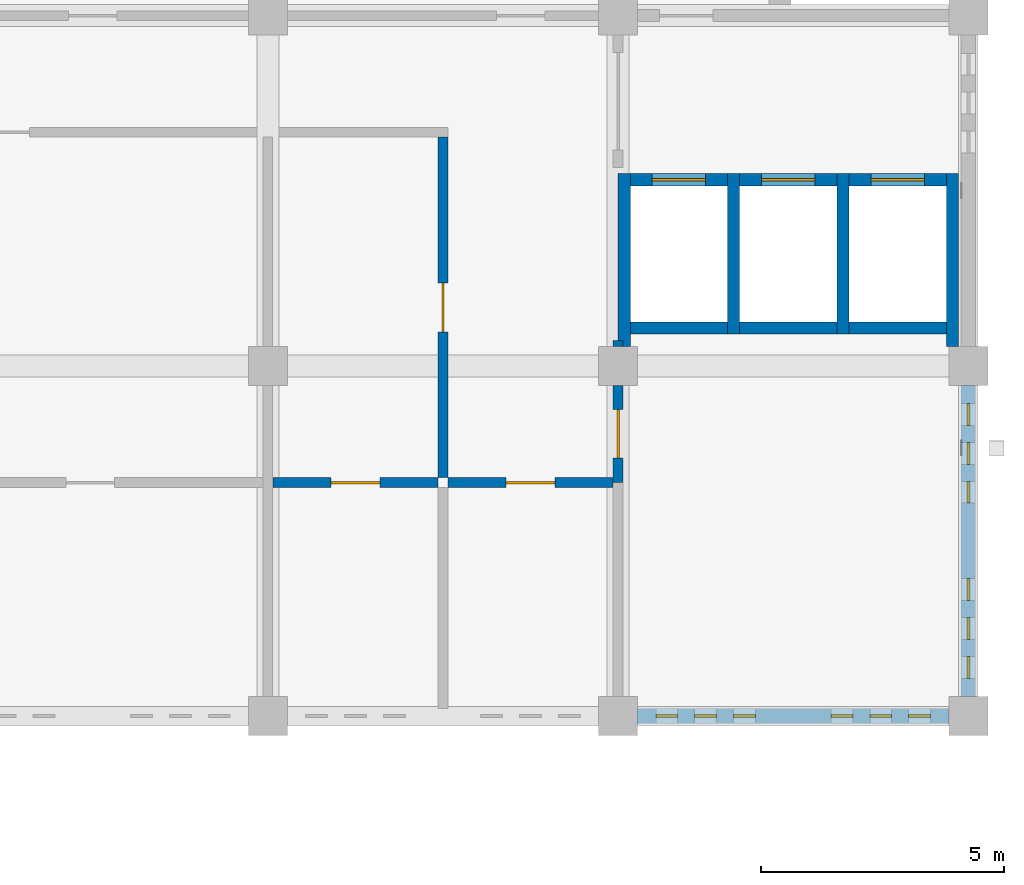
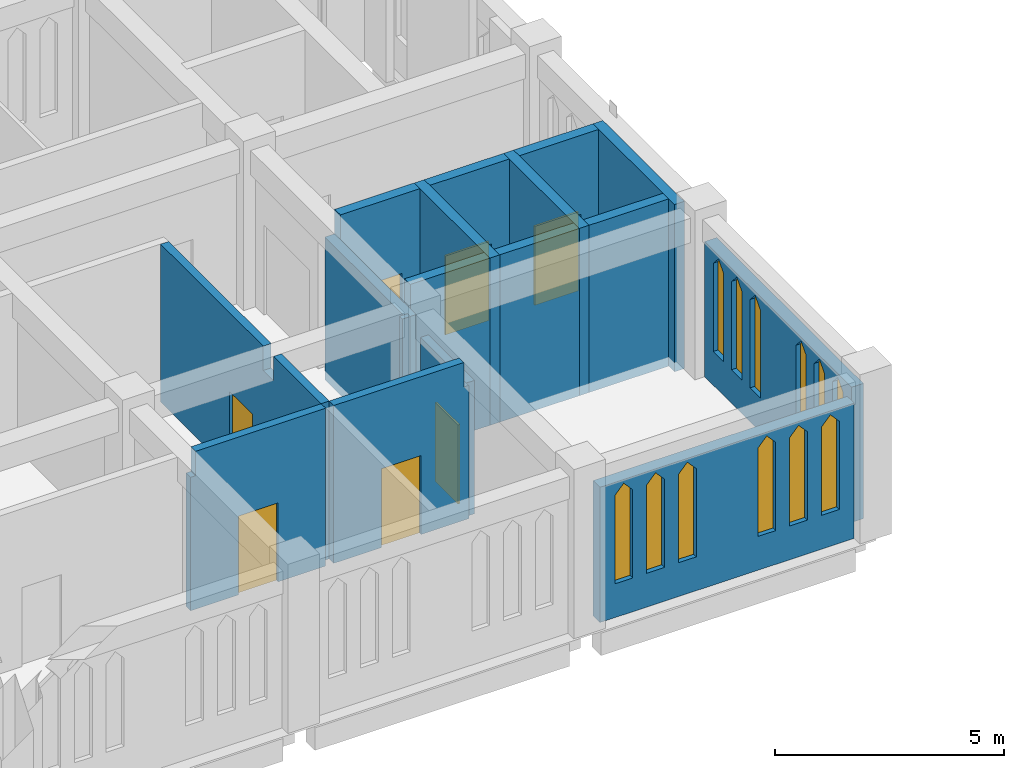
# One storey, part 7 of 13: 17 walls, 12 windows, 7 doors, 19 openings.
"""IFC4 building model written with IfcOpenShell, lengths in metres."""

from ifc_helpers import new_model, si_unit, direction, frame, frame_2d, origin, place, context, subcontext, project, spatial, polyline, rectangle, outline, extrude, material, layer, layer_set, type_object, element, fill, save


model = new_model("IFC4")

# Units and contexts
model_context = context("Model", 3, precision=1e-05, world=origin(), true_north=direction((0.0, 1.0)))
body_context = subcontext(model_context, "Body", "Model", "MODEL_VIEW")
ifc_project = project(units=[si_unit("LENGTHUNIT", "METRE"), si_unit("AREAUNIT", "SQUARE_METRE"), si_unit("VOLUMEUNIT", "CUBIC_METRE"), si_unit("PLANEANGLEUNIT", "RADIAN"), si_unit("MASSUNIT", "GRAM", prefix="KILO")], contexts=[model_context])

# Site, building, storey
site_placement = place(None, origin())
site = spatial("IfcSite", under=ifc_project, at=site_placement, CompositionType="ELEMENT")
building_placement = place(site_placement, origin())
building = spatial("IfcBuilding", under=site, at=building_placement, Name="Silangan Lancet Faculty of Sciences", CompositionType="ELEMENT")
storey_placement = place(building_placement, frame((0.0, 0.0, 49.800048828125)))
storey = spatial("IfcBuildingStorey", under=building, at=storey_placement, Name="L10", CompositionType="ELEMENT", Elevation=49.800048828125)

# Wall, openings, windows
ifc_material_1 = material(Name="Concrete C40/50", Category="concrete")
ifc_layer_1 = layer(ifc_material_1, 0.300048828125)
ifc_layer_set_1 = layer_set([ifc_layer_1], Name="Concrete C40/50")
wall_type_1 = type_object("IfcWallType", Name="EW7 Rendered attic wall", PredefinedType="STANDARD", material=ifc_layer_set_1)
wall_1_placement = place(storey_placement, frame((28.800048828125, 36.39990234375, 0.0), z_axis=(0.0, 0.0, 1.0), x_axis=(0.0, 1.0, 0.0)))
wall_1 = element("IfcWall", 1, at=wall_1_placement, inside=storey, type_object=wall_type_1, Name="EW-L10-E-NT-00", PredefinedType="STANDARD", context=body_context, shape_type="SweptSolid", body=[
    extrude(rectangle(XDim=6.400146484375, YDim=0.300048828125, at=frame_2d((3.2001953125, 0.0))), origin(), (0.0, 0.0, 1.0), 3.599853515625),
])
opening_1_placement = place(wall_1_placement, frame((0.375, 0.0, 0.89990234375)))
opening_1 = element("IfcOpeningElement", 2, at=opening_1_placement, cuts=wall_1, Name="Opening W24", PredefinedType="OPENING", context=body_context, shape_type="SweptSolid", body=[
    extrude(outline(polyline([(0.0, 0.0), (0.449951171875, 0.0), (0.449951171875, 2.35009765625), (0.22509765625, 2.60009765625), (0.0, 2.35009765625), (0.0, 0.0)])), frame((0.0, 0.159912109375, 0.0), z_axis=(0.0, -1.0, 0.0), x_axis=(1.0, 0.0, 0.0)), (0.0, 0.0, 1.0), 0.320068359375),
])
opening_2_placement = place(wall_1_placement, frame((1.175048828125, 0.0, 0.89990234375)))
opening_2 = element("IfcOpeningElement", 3, at=opening_2_placement, cuts=wall_1, Name="Opening W24", PredefinedType="OPENING", context=body_context, shape_type="SweptSolid", body=[
    extrude(outline(polyline([(0.0, 0.0), (0.449951171875, 0.0), (0.449951171875, 2.35009765625), (0.22509765625, 2.60009765625), (0.0, 2.35009765625), (0.0, 0.0)])), frame((0.0, 0.159912109375, 0.0), z_axis=(0.0, -1.0, 0.0), x_axis=(1.0, 0.0, 0.0)), (0.0, 0.0, 1.0), 0.320068359375),
])
opening_3_placement = place(wall_1_placement, frame((1.97509765625, 0.0, 0.89990234375)))
opening_3 = element("IfcOpeningElement", 4, at=opening_3_placement, cuts=wall_1, Name="Opening W24", PredefinedType="OPENING", context=body_context, shape_type="SweptSolid", body=[
    extrude(outline(polyline([(0.0, 0.0), (0.449951171875, 0.0), (0.449951171875, 2.35009765625), (0.22509765625, 2.60009765625), (0.0, 2.35009765625), (0.0, 0.0)])), frame((0.0, 0.159912109375, 0.0), z_axis=(0.0, -1.0, 0.0), x_axis=(1.0, 0.0, 0.0)), (0.0, 0.0, 1.0), 0.320068359375),
])
opening_4_placement = place(wall_1_placement, frame((3.97509765625, 0.0, 0.89990234375)))
opening_4 = element("IfcOpeningElement", 5, at=opening_4_placement, cuts=wall_1, Name="Opening W24", PredefinedType="OPENING", context=body_context, shape_type="SweptSolid", body=[
    extrude(outline(polyline([(0.0, 0.0), (0.449951171875, 0.0), (0.449951171875, 2.35009765625), (0.22509765625, 2.60009765625), (0.0, 2.35009765625), (0.0, 0.0)])), frame((0.0, 0.159912109375, 0.0), z_axis=(0.0, -1.0, 0.0), x_axis=(1.0, 0.0, 0.0)), (0.0, 0.0, 1.0), 0.320068359375),
])
opening_5_placement = place(wall_1_placement, frame((4.77490234375, 0.0, 0.89990234375)))
opening_5 = element("IfcOpeningElement", 6, at=opening_5_placement, cuts=wall_1, Name="Opening W24", PredefinedType="OPENING", context=body_context, shape_type="SweptSolid", body=[
    extrude(outline(polyline([(0.0, 0.0), (0.449951171875, 0.0), (0.449951171875, 2.35009765625), (0.22509765625, 2.60009765625), (0.0, 2.35009765625), (0.0, 0.0)])), frame((0.0, 0.159912109375, 0.0), z_axis=(0.0, -1.0, 0.0), x_axis=(1.0, 0.0, 0.0)), (0.0, 0.0, 1.0), 0.320068359375),
])
opening_6_placement = place(wall_1_placement, frame((5.574951171875, 0.0, 0.89990234375)))
opening_6 = element("IfcOpeningElement", 7, at=opening_6_placement, cuts=wall_1, Name="Opening W24", PredefinedType="OPENING", context=body_context, shape_type="SweptSolid", body=[
    extrude(outline(polyline([(0.0, 0.0), (0.449951171875, 0.0), (0.449951171875, 2.35009765625), (0.22509765625, 2.60009765625), (0.0, 2.35009765625), (0.0, 0.0)])), frame((0.0, 0.159912109375, 0.0), z_axis=(0.0, -1.0, 0.0), x_axis=(1.0, 0.0, 0.0)), (0.0, 0.0, 1.0), 0.320068359375),
])
ifc_material_2 = material(Name="Aluminium frame, laminated double glazing", Category="aluminium")
window_type = type_object("IfcWindowType", Name="W24 Lancet window 450 x 2600", PartitioningType="SINGLE_PANEL", PredefinedType="WINDOW", material=ifc_material_2)
window_1_placement = place(opening_1_placement, origin())
window_1 = element("IfcWindow", 8, at=window_1_placement, inside=storey, type_object=window_type, Name="WIN-L10-E-NT-00a1", OverallHeight=2.60009765625, OverallWidth=0.449951171875, PartitioningType="SINGLE_PANEL", PredefinedType="WINDOW", context=body_context, shape_type="SweptSolid", body=[
    extrude(outline(polyline([(0.0, 0.0), (0.449951171875, 0.0), (0.449951171875, 2.35009765625), (0.22509765625, 2.60009765625), (0.0, 2.35009765625), (0.0, 0.0)])), frame((0.0, 0.030029296875, 0.0), z_axis=(0.0, -1.0, 0.0), x_axis=(1.0, 0.0, 0.0)), (0.0, 0.0, 1.0), 0.06005859375),
])
fill(opening_1, window_1)
window_2_placement = place(opening_2_placement, origin())
window_2 = element("IfcWindow", 9, at=window_2_placement, inside=storey, type_object=window_type, Name="WIN-L10-E-NT-00a2", OverallHeight=2.60009765625, OverallWidth=0.449951171875, PartitioningType="SINGLE_PANEL", PredefinedType="WINDOW", context=body_context, shape_type="SweptSolid", body=[
    extrude(outline(polyline([(0.0, 0.0), (0.449951171875, 0.0), (0.449951171875, 2.35009765625), (0.22509765625, 2.60009765625), (0.0, 2.35009765625), (0.0, 0.0)])), frame((0.0, 0.030029296875, 0.0), z_axis=(0.0, -1.0, 0.0), x_axis=(1.0, 0.0, 0.0)), (0.0, 0.0, 1.0), 0.06005859375),
])
fill(opening_2, window_2)
window_3_placement = place(opening_3_placement, origin())
window_3 = element("IfcWindow", 10, at=window_3_placement, inside=storey, type_object=window_type, Name="WIN-L10-E-NT-00a3", OverallHeight=2.60009765625, OverallWidth=0.449951171875, PartitioningType="SINGLE_PANEL", PredefinedType="WINDOW", context=body_context, shape_type="SweptSolid", body=[
    extrude(outline(polyline([(0.0, 0.0), (0.449951171875, 0.0), (0.449951171875, 2.35009765625), (0.22509765625, 2.60009765625), (0.0, 2.35009765625), (0.0, 0.0)])), frame((0.0, 0.030029296875, 0.0), z_axis=(0.0, -1.0, 0.0), x_axis=(1.0, 0.0, 0.0)), (0.0, 0.0, 1.0), 0.06005859375),
])
fill(opening_3, window_3)
window_4_placement = place(opening_4_placement, origin())
window_4 = element("IfcWindow", 11, at=window_4_placement, inside=storey, type_object=window_type, Name="WIN-L10-E-NT-00b1", OverallHeight=2.60009765625, OverallWidth=0.449951171875, PartitioningType="SINGLE_PANEL", PredefinedType="WINDOW", context=body_context, shape_type="SweptSolid", body=[
    extrude(outline(polyline([(0.0, 0.0), (0.449951171875, 0.0), (0.449951171875, 2.35009765625), (0.22509765625, 2.60009765625), (0.0, 2.35009765625), (0.0, 0.0)])), frame((0.0, 0.030029296875, 0.0), z_axis=(0.0, -1.0, 0.0), x_axis=(1.0, 0.0, 0.0)), (0.0, 0.0, 1.0), 0.06005859375),
])
fill(opening_4, window_4)
window_5_placement = place(opening_5_placement, origin())
window_5 = element("IfcWindow", 12, at=window_5_placement, inside=storey, type_object=window_type, Name="WIN-L10-E-NT-00b2", OverallHeight=2.60009765625, OverallWidth=0.449951171875, PartitioningType="SINGLE_PANEL", PredefinedType="WINDOW", context=body_context, shape_type="SweptSolid", body=[
    extrude(outline(polyline([(0.0, 0.0), (0.449951171875, 0.0), (0.449951171875, 2.35009765625), (0.22509765625, 2.60009765625), (0.0, 2.35009765625), (0.0, 0.0)])), frame((0.0, 0.030029296875, 0.0), z_axis=(0.0, -1.0, 0.0), x_axis=(1.0, 0.0, 0.0)), (0.0, 0.0, 1.0), 0.06005859375),
])
fill(opening_5, window_5)
window_6_placement = place(opening_6_placement, origin())
window_6 = element("IfcWindow", 13, at=window_6_placement, inside=storey, type_object=window_type, Name="WIN-L10-E-NT-00b3", OverallHeight=2.60009765625, OverallWidth=0.449951171875, PartitioningType="SINGLE_PANEL", PredefinedType="WINDOW", context=body_context, shape_type="SweptSolid", body=[
    extrude(outline(polyline([(0.0, 0.0), (0.449951171875, 0.0), (0.449951171875, 2.35009765625), (0.22509765625, 2.60009765625), (0.0, 2.35009765625), (0.0, 0.0)])), frame((0.0, 0.030029296875, 0.0), z_axis=(0.0, -1.0, 0.0), x_axis=(1.0, 0.0, 0.0)), (0.0, 0.0, 1.0), 0.06005859375),
])
fill(opening_6, window_6)

wall_2_placement = place(storey_placement, frame((22.0, 36.0, 0.0), z_axis=(0.0, 0.0, 1.0), x_axis=(1.0, 0.0, 0.0)))
wall_2 = element("IfcWall", 14, at=wall_2_placement, inside=storey, type_object=wall_type_1, Name="EW-L10-S-NT-03", PredefinedType="STANDARD", context=body_context, shape_type="SweptSolid", body=[
    extrude(rectangle(XDim=6.39990234375, YDim=0.300048828125, at=frame_2d((3.199951171875, 0.0))), origin(), (0.0, 0.0, 1.0), 3.599853515625),
])
opening_7_placement = place(wall_2_placement, frame((0.375, 0.0, 0.89990234375)))
opening_7 = element("IfcOpeningElement", 15, at=opening_7_placement, cuts=wall_2, Name="Opening W24", PredefinedType="OPENING", context=body_context, shape_type="SweptSolid", body=[
    extrude(outline(polyline([(0.0, 0.0), (0.449951171875, 0.0), (0.449951171875, 2.35009765625), (0.22509765625, 2.60009765625), (0.0, 2.35009765625), (0.0, 0.0)])), frame((0.0, 0.159912109375, 0.0), z_axis=(0.0, -1.0, 0.0), x_axis=(1.0, 0.0, 0.0)), (0.0, 0.0, 1.0), 0.320068359375),
])
opening_8_placement = place(wall_2_placement, frame((1.175048828125, 0.0, 0.89990234375)))
opening_8 = element("IfcOpeningElement", 16, at=opening_8_placement, cuts=wall_2, Name="Opening W24", PredefinedType="OPENING", context=body_context, shape_type="SweptSolid", body=[
    extrude(outline(polyline([(0.0, 0.0), (0.449951171875, 0.0), (0.449951171875, 2.35009765625), (0.22509765625, 2.60009765625), (0.0, 2.35009765625), (0.0, 0.0)])), frame((0.0, 0.159912109375, 0.0), z_axis=(0.0, -1.0, 0.0), x_axis=(1.0, 0.0, 0.0)), (0.0, 0.0, 1.0), 0.320068359375),
])
opening_9_placement = place(wall_2_placement, frame((1.97509765625, 0.0, 0.89990234375)))
opening_9 = element("IfcOpeningElement", 17, at=opening_9_placement, cuts=wall_2, Name="Opening W24", PredefinedType="OPENING", context=body_context, shape_type="SweptSolid", body=[
    extrude(outline(polyline([(0.0, 0.0), (0.449951171875, 0.0), (0.449951171875, 2.35009765625), (0.22509765625, 2.60009765625), (0.0, 2.35009765625), (0.0, 0.0)])), frame((0.0, 0.159912109375, 0.0), z_axis=(0.0, -1.0, 0.0), x_axis=(1.0, 0.0, 0.0)), (0.0, 0.0, 1.0), 0.320068359375),
])
opening_10_placement = place(wall_2_placement, frame((3.97509765625, 0.0, 0.89990234375)))
opening_10 = element("IfcOpeningElement", 18, at=opening_10_placement, cuts=wall_2, Name="Opening W24", PredefinedType="OPENING", context=body_context, shape_type="SweptSolid", body=[
    extrude(outline(polyline([(0.0, 0.0), (0.449951171875, 0.0), (0.449951171875, 2.35009765625), (0.22509765625, 2.60009765625), (0.0, 2.35009765625), (0.0, 0.0)])), frame((0.0, 0.159912109375, 0.0), z_axis=(0.0, -1.0, 0.0), x_axis=(1.0, 0.0, 0.0)), (0.0, 0.0, 1.0), 0.320068359375),
])
opening_11_placement = place(wall_2_placement, frame((4.77490234375, 0.0, 0.89990234375)))
opening_11 = element("IfcOpeningElement", 19, at=opening_11_placement, cuts=wall_2, Name="Opening W24", PredefinedType="OPENING", context=body_context, shape_type="SweptSolid", body=[
    extrude(outline(polyline([(0.0, 0.0), (0.449951171875, 0.0), (0.449951171875, 2.35009765625), (0.22509765625, 2.60009765625), (0.0, 2.35009765625), (0.0, 0.0)])), frame((0.0, 0.159912109375, 0.0), z_axis=(0.0, -1.0, 0.0), x_axis=(1.0, 0.0, 0.0)), (0.0, 0.0, 1.0), 0.320068359375),
])
opening_12_placement = place(wall_2_placement, frame((5.574951171875, 0.0, 0.89990234375)))
opening_12 = element("IfcOpeningElement", 20, at=opening_12_placement, cuts=wall_2, Name="Opening W24", PredefinedType="OPENING", context=body_context, shape_type="SweptSolid", body=[
    extrude(outline(polyline([(0.0, 0.0), (0.449951171875, 0.0), (0.449951171875, 2.35009765625), (0.22509765625, 2.60009765625), (0.0, 2.35009765625), (0.0, 0.0)])), frame((0.0, 0.159912109375, 0.0), z_axis=(0.0, -1.0, 0.0), x_axis=(1.0, 0.0, 0.0)), (0.0, 0.0, 1.0), 0.320068359375),
])
window_7_placement = place(opening_7_placement, origin())
window_7 = element("IfcWindow", 21, at=window_7_placement, inside=storey, type_object=window_type, Name="WIN-L10-S-NT-03a1", OverallHeight=2.60009765625, OverallWidth=0.449951171875, PartitioningType="SINGLE_PANEL", PredefinedType="WINDOW", context=body_context, shape_type="SweptSolid", body=[
    extrude(outline(polyline([(0.0, 0.0), (0.449951171875, 0.0), (0.449951171875, 2.35009765625), (0.22509765625, 2.60009765625), (0.0, 2.35009765625), (0.0, 0.0)])), frame((0.0, 0.030029296875, 0.0), z_axis=(0.0, -1.0, 0.0), x_axis=(1.0, 0.0, 0.0)), (0.0, 0.0, 1.0), 0.06005859375),
])
fill(opening_7, window_7)
window_8_placement = place(opening_8_placement, origin())
window_8 = element("IfcWindow", 22, at=window_8_placement, inside=storey, type_object=window_type, Name="WIN-L10-S-NT-03a2", OverallHeight=2.60009765625, OverallWidth=0.449951171875, PartitioningType="SINGLE_PANEL", PredefinedType="WINDOW", context=body_context, shape_type="SweptSolid", body=[
    extrude(outline(polyline([(0.0, 0.0), (0.449951171875, 0.0), (0.449951171875, 2.35009765625), (0.22509765625, 2.60009765625), (0.0, 2.35009765625), (0.0, 0.0)])), frame((0.0, 0.030029296875, 0.0), z_axis=(0.0, -1.0, 0.0), x_axis=(1.0, 0.0, 0.0)), (0.0, 0.0, 1.0), 0.06005859375),
])
fill(opening_8, window_8)
window_9_placement = place(opening_9_placement, origin())
window_9 = element("IfcWindow", 23, at=window_9_placement, inside=storey, type_object=window_type, Name="WIN-L10-S-NT-03a3", OverallHeight=2.60009765625, OverallWidth=0.449951171875, PartitioningType="SINGLE_PANEL", PredefinedType="WINDOW", context=body_context, shape_type="SweptSolid", body=[
    extrude(outline(polyline([(0.0, 0.0), (0.449951171875, 0.0), (0.449951171875, 2.35009765625), (0.22509765625, 2.60009765625), (0.0, 2.35009765625), (0.0, 0.0)])), frame((0.0, 0.030029296875, 0.0), z_axis=(0.0, -1.0, 0.0), x_axis=(1.0, 0.0, 0.0)), (0.0, 0.0, 1.0), 0.06005859375),
])
fill(opening_9, window_9)
window_10_placement = place(opening_10_placement, origin())
window_10 = element("IfcWindow", 24, at=window_10_placement, inside=storey, type_object=window_type, Name="WIN-L10-S-NT-03b1", OverallHeight=2.60009765625, OverallWidth=0.449951171875, PartitioningType="SINGLE_PANEL", PredefinedType="WINDOW", context=body_context, shape_type="SweptSolid", body=[
    extrude(outline(polyline([(0.0, 0.0), (0.449951171875, 0.0), (0.449951171875, 2.35009765625), (0.22509765625, 2.60009765625), (0.0, 2.35009765625), (0.0, 0.0)])), frame((0.0, 0.030029296875, 0.0), z_axis=(0.0, -1.0, 0.0), x_axis=(1.0, 0.0, 0.0)), (0.0, 0.0, 1.0), 0.06005859375),
])
fill(opening_10, window_10)
window_11_placement = place(opening_11_placement, origin())
window_11 = element("IfcWindow", 25, at=window_11_placement, inside=storey, type_object=window_type, Name="WIN-L10-S-NT-03b2", OverallHeight=2.60009765625, OverallWidth=0.449951171875, PartitioningType="SINGLE_PANEL", PredefinedType="WINDOW", context=body_context, shape_type="SweptSolid", body=[
    extrude(outline(polyline([(0.0, 0.0), (0.449951171875, 0.0), (0.449951171875, 2.35009765625), (0.22509765625, 2.60009765625), (0.0, 2.35009765625), (0.0, 0.0)])), frame((0.0, 0.030029296875, 0.0), z_axis=(0.0, -1.0, 0.0), x_axis=(1.0, 0.0, 0.0)), (0.0, 0.0, 1.0), 0.06005859375),
])
fill(opening_11, window_11)
window_12_placement = place(opening_12_placement, origin())
window_12 = element("IfcWindow", 26, at=window_12_placement, inside=storey, type_object=window_type, Name="WIN-L10-S-NT-03b3", OverallHeight=2.60009765625, OverallWidth=0.449951171875, PartitioningType="SINGLE_PANEL", PredefinedType="WINDOW", context=body_context, shape_type="SweptSolid", body=[
    extrude(outline(polyline([(0.0, 0.0), (0.449951171875, 0.0), (0.449951171875, 2.35009765625), (0.22509765625, 2.60009765625), (0.0, 2.35009765625), (0.0, 0.0)])), frame((0.0, 0.030029296875, 0.0), z_axis=(0.0, -1.0, 0.0), x_axis=(1.0, 0.0, 0.0)), (0.0, 0.0, 1.0), 0.06005859375),
])
fill(opening_12, window_12)

# Wall, opening, door
ifc_material_3 = material(Name="Hollow block masonry fm 7 MPa", Category="masonry")
ifc_layer_2 = layer(ifc_material_3, 0.199951171875)
ifc_layer_set_2 = layer_set([ifc_layer_2], Name="Hollow block masonry fm 7 MPa")
wall_type_2 = type_object("IfcWallType", Name="Interior wall PW1 Corridor wall CHB 200", PredefinedType="PARTITIONING", material=ifc_layer_set_2)
wall_3_placement = place(storey_placement, frame((18.10009765625, 40.800048828125, 0.0), z_axis=(0.0, 0.0, 1.0), x_axis=(1.0, 0.0, 0.0)))
wall_3 = element("IfcWall", 27, at=wall_3_placement, inside=storey, type_object=wall_type_2, Name="Corridor wall CHB 200", PredefinedType="PARTITIONING", context=body_context, shape_type="SweptSolid", body=[
    extrude(outline(polyline([(0.0, 0.0), (3.39990234375, 0.0), (3.39990234375, 3.550048828125), (3.27490234375, 3.550048828125), (3.27490234375, 4.199951171875), (0.0, 4.199951171875), (0.0, 0.0)])), frame((0.0, 0.10009765625, 0.0), z_axis=(0.0, -1.0, 0.0), x_axis=(1.0, 0.0, 0.0)), (0.0, 0.0, 1.0), 0.199951171875),
])
opening_13_placement = place(wall_3_placement, frame((1.199951171875, 0.0, 0.0)))
opening_13 = element("IfcOpeningElement", 28, at=opening_13_placement, cuts=wall_3, Name="Opening L10-024", PredefinedType="OPENING", context=body_context, shape_type="SweptSolid", body=[
    extrude(rectangle(XDim=1.0, YDim=2.10009765625, at=frame_2d((0.5, 1.050048828125))), frame((0.0, 0.10986328125, 0.0), z_axis=(0.0, -1.0, 0.0), x_axis=(1.0, 0.0, 0.0)), (0.0, 0.0, 1.0), 0.219970703125),
])
ifc_material_4 = material(Name="Steel fire door set", Category="steel")
door_type_1 = type_object("IfcDoorType", Name="Door D1 Single leaf fire door 1000 x 2100", OperationType="SINGLE_SWING_LEFT", PredefinedType="DOOR", material=ifc_material_4)
door_1_placement = place(opening_13_placement, frame((1.0, 0.0, 0.0), z_axis=(0.0, 0.0, 1.0), x_axis=(-1.0, 0.0, 0.0)))
door_1 = element("IfcDoor", 29, at=door_1_placement, inside=storey, type_object=door_type_1, Name="Single leaf fire door 1000 x 2100", OperationType="SINGLE_SWING_LEFT", OverallHeight=2.10009765625, OverallWidth=1.0, PredefinedType="DOOR", context=body_context, shape_type="SweptSolid", body=[
    extrude(rectangle(XDim=1.0, YDim=2.10009765625, at=frame_2d((0.5, 1.050048828125))), frame((0.0, 0.025146484375, 0.0), z_axis=(0.0, -1.0, 0.0), x_axis=(1.0, 0.0, 0.0)), (0.0, 0.0, 1.0), 0.050048828125),
])
fill(opening_13, door_1)

wall_4_placement = place(storey_placement, frame((18.0, 40.89990234375, 0.0), z_axis=(0.0, 0.0, 1.0), x_axis=(0.0, 1.0, 0.0)))
wall_4 = element("IfcWall", 30, at=wall_4_placement, inside=storey, type_object=wall_type_2, Name="Corridor wall CHB 200", PredefinedType="PARTITIONING", context=body_context, shape_type="SweptSolid", body=[
    extrude(outline(polyline([(0.0, 0.0), (7.0, 0.0), (7.0, 4.199951171875), (2.525146484375, 4.199951171875), (2.525146484375, 3.550048828125), (2.0751953125, 3.550048828125), (2.0751953125, 4.199951171875), (0.0, 4.199951171875), (0.0, 0.0)])), frame((0.0, 0.10009765625, 0.0), z_axis=(0.0, -1.0, 0.0), x_axis=(1.0, 0.0, 0.0)), (0.0, 0.0, 1.0), 0.199951171875),
])
opening_14_placement = place(wall_4_placement, frame((3.0, 0.0, 0.0)))
opening_14 = element("IfcOpeningElement", 31, at=opening_14_placement, cuts=wall_4, Name="Opening L10-031", PredefinedType="OPENING", context=body_context, shape_type="SweptSolid", body=[
    extrude(rectangle(XDim=1.0, YDim=2.10009765625, at=frame_2d((0.5, 1.050048828125))), frame((0.0, 0.10986328125, 0.0), z_axis=(0.0, -1.0, 0.0), x_axis=(1.0, 0.0, 0.0)), (0.0, 0.0, 1.0), 0.219970703125),
])
door_2_placement = place(opening_14_placement, origin())
door_2 = element("IfcDoor", 32, at=door_2_placement, inside=storey, type_object=door_type_1, Name="Single leaf fire door 1000 x 2100", OperationType="SINGLE_SWING_LEFT", OverallHeight=2.10009765625, OverallWidth=1.0, PredefinedType="DOOR", context=body_context, shape_type="SweptSolid", body=[
    extrude(rectangle(XDim=1.0, YDim=2.10009765625, at=frame_2d((0.5, 1.050048828125))), frame((0.0, 0.02490234375, 0.0), z_axis=(0.0, -1.0, 0.0), x_axis=(1.0, 0.0, 0.0)), (0.0, 0.0, 1.0), 0.050048828125),
])
fill(opening_14, door_2)

wall_5_placement = place(storey_placement, frame((21.60009765625, 40.800048828125, 0.0), z_axis=(0.0, 0.0, 1.0), x_axis=(0.0, 1.0, 0.0)))
wall_5 = element("IfcWall", 33, at=wall_5_placement, inside=storey, type_object=wall_type_2, Name="Corridor wall CHB 200", PredefinedType="PARTITIONING", context=body_context, shape_type="SweptSolid", body=[
    extrude(rectangle(XDim=2.0, YDim=0.199951171875, at=frame_2d((1.0, 0.0))), origin(), (0.0, 0.0, 1.0), 3.550048828125),
])
opening_15_placement = place(wall_5_placement, frame((0.5, 0.0, 0.0)))
opening_15 = element("IfcOpeningElement", 34, at=opening_15_placement, cuts=wall_5, Name="Opening L10-025", PredefinedType="OPENING", context=body_context, shape_type="SweptSolid", body=[
    extrude(rectangle(XDim=1.0, YDim=2.10009765625, at=frame_2d((0.5, 1.050048828125))), frame((0.0, 0.10986328125, 0.0), z_axis=(0.0, -1.0, 0.0), x_axis=(1.0, 0.0, 0.0)), (0.0, 0.0, 1.0), 0.219970703125),
])
door_3_placement = place(opening_15_placement, frame((1.0, 0.0, 0.0), z_axis=(0.0, 0.0, 1.0), x_axis=(-1.0, 0.0, 0.0)))
door_3 = element("IfcDoor", 35, at=door_3_placement, inside=storey, type_object=door_type_1, Name="Single leaf fire door 1000 x 2100", OperationType="SINGLE_SWING_RIGHT", OverallHeight=2.10009765625, OverallWidth=1.0, PredefinedType="DOOR", context=body_context, shape_type="SweptSolid", body=[
    extrude(rectangle(XDim=1.0, YDim=2.10009765625, at=frame_2d((0.5, 1.050048828125))), frame((0.0, 0.025146484375, 0.0), z_axis=(0.0, -1.0, 0.0), x_axis=(1.0, 0.0, 0.0)), (0.0, 0.0, 1.0), 0.050048828125),
])
fill(opening_15, door_3)

# Wall
wall_6_placement = place(storey_placement, frame((21.60009765625, 43.60009765625, 0.0), z_axis=(0.0, 0.0, 1.0), x_axis=(0.0, 1.0, 0.0)))
element("IfcWall", 36, at=wall_6_placement, inside=storey, type_object=wall_type_2, Name="Corridor wall CHB 200", PredefinedType="PARTITIONING", context=body_context, shape_type="SweptSolid", body=[
    extrude(rectangle(XDim=0.125, YDim=0.199951171875, at=frame_2d((0.0625, 0.0))), origin(), (0.0, 0.0, 1.0), 3.550048828125),
])

# Wall, opening, door
ifc_material_5 = material(Name="Hollow block masonry fm 7 MPa", Category="masonry")
ifc_layer_3 = layer(ifc_material_5, 0.199951171875)
ifc_layer_set_3 = layer_set([ifc_layer_3], Name="Hollow block masonry fm 7 MPa")
wall_type_3 = type_object("IfcWallType", Name="Interior wall PW4 Laboratory separation CHB 200", PredefinedType="PARTITIONING", material=ifc_layer_set_3)
wall_7_placement = place(storey_placement, frame((14.5, 40.800048828125, 0.0), z_axis=(0.0, 0.0, 1.0), x_axis=(1.0, 0.0, 0.0)))
wall_7 = element("IfcWall", 37, at=wall_7_placement, inside=storey, type_object=wall_type_3, Name="Laboratory separation CHB 200", PredefinedType="PARTITIONING", context=body_context, shape_type="SweptSolid", body=[
    extrude(outline(polyline([(0.0, 0.0), (3.39990234375, 0.0), (3.39990234375, 4.199951171875), (0.125, 4.199951171875), (0.125, 3.550048828125), (0.0, 3.550048828125), (0.0, 0.0)])), frame((0.0, 0.10009765625, 0.0), z_axis=(0.0, -1.0, 0.0), x_axis=(1.0, 0.0, 0.0)), (0.0, 0.0, 1.0), 0.199951171875),
])
opening_16_placement = place(wall_7_placement, frame((1.199951171875, 0.0, 0.0)))
opening_16 = element("IfcOpeningElement", 38, at=opening_16_placement, cuts=wall_7, Name="Opening L10-032", PredefinedType="OPENING", context=body_context, shape_type="SweptSolid", body=[
    extrude(rectangle(XDim=1.0, YDim=2.10009765625, at=frame_2d((0.5, 1.050048828125))), frame((0.0, 0.10986328125, 0.0), z_axis=(0.0, -1.0, 0.0), x_axis=(1.0, 0.0, 0.0)), (0.0, 0.0, 1.0), 0.219970703125),
])
door_4_placement = place(opening_16_placement, frame((1.0, 0.0, 0.0), z_axis=(0.0, 0.0, 1.0), x_axis=(-1.0, 0.0, 0.0)))
door_4 = element("IfcDoor", 39, at=door_4_placement, inside=storey, type_object=door_type_1, Name="Single leaf fire door 1000 x 2100", OperationType="SINGLE_SWING_LEFT", OverallHeight=2.10009765625, OverallWidth=1.0, PredefinedType="DOOR", context=body_context, shape_type="SweptSolid", body=[
    extrude(rectangle(XDim=1.0, YDim=2.10009765625, at=frame_2d((0.5, 1.050048828125))), frame((0.0, 0.025146484375, 0.0), z_axis=(0.0, -1.0, 0.0), x_axis=(1.0, 0.0, 0.0)), (0.0, 0.0, 1.0), 0.050048828125),
])
fill(opening_16, door_4)

# Walls
ifc_material_6 = material(Name="Concrete C40/50", Category="concrete")
ifc_layer_4 = layer(ifc_material_6, 0.25)
ifc_layer_set_4 = layer_set([ifc_layer_4], Name="Concrete C40/50")
wall_type_4 = type_object("IfcWallType", Name="LIFT SHAFT WALL RC 250", PredefinedType="SHEAR", material=ifc_layer_set_4)
wall_8_placement = place(storey_placement, frame((21.72509765625, 43.60009765625, -0.25), z_axis=(0.0, 0.0, 1.0), x_axis=(0.0, 1.0, 0.0)))
element("IfcWall", 40, at=wall_8_placement, inside=storey, type_object=wall_type_4, Name="WALL-L10-NT-SW1", PredefinedType="SHEAR", context=body_context, shape_type="SweptSolid", body=[
    extrude(rectangle(XDim=3.5498046875, YDim=0.25, at=frame_2d((1.77490234375, 0.0))), origin(), (0.0, 0.0, 1.0), 3.800048828125),
])
for number, where, z_axis, x_axis, name in (
    (41, (23.97509765625, 43.85009765625, -0.25), (0.0, 0.0, 1.0), (0.0, 1.0, 0.0), "WALL-L10-NT-SW2"),
    (42, (26.22509765625, 43.85009765625, -0.25), (0.0, 0.0, 1.0), (0.0, 1.0, 0.0), "WALL-L10-NT-SW3"),
):
    element("IfcWall", number, at=place(storey_placement, frame(where, z_axis=z_axis, x_axis=x_axis)), inside=storey, type_object=wall_type_4, Name=name, PredefinedType="SHEAR", context=body_context, shape_type="SweptSolid", body=[
        extrude(rectangle(XDim=3.2998046875, YDim=0.25, at=frame_2d((1.64990234375, 0.0))), origin(), (0.0, 0.0, 1.0), 4.449951171875),
    ])
wall_9_placement = place(storey_placement, frame((28.47509765625, 43.60009765625, -0.25), z_axis=(0.0, 0.0, 1.0), x_axis=(0.0, 1.0, 0.0)))
element("IfcWall", 43, at=wall_9_placement, inside=storey, type_object=wall_type_4, Name="WALL-L10-NT-SW4", PredefinedType="SHEAR", context=body_context, shape_type="SweptSolid", body=[
    extrude(rectangle(XDim=3.5498046875, YDim=0.25, at=frame_2d((1.77490234375, 0.0))), origin(), (0.0, 0.0, 1.0), 4.449951171875),
])

# Wall, opening, door
wall_10_placement = place(storey_placement, frame((21.85009765625, 47.02490234375, -0.25), z_axis=(0.0, 0.0, 1.0), x_axis=(1.0, 0.0, 0.0)))
wall_10 = element("IfcWall", 44, at=wall_10_placement, inside=storey, type_object=wall_type_4, Name="WALL-L10-NT-L1-F", PredefinedType="SHEAR", context=body_context, shape_type="SweptSolid", body=[
    extrude(rectangle(XDim=2.0, YDim=0.25, at=frame_2d((1.0, 0.0))), origin(), (0.0, 0.0, 1.0), 4.449951171875),
])
opening_17_placement = place(wall_10_placement, frame((0.449951171875, 0.0, 0.25)))
opening_17 = element("IfcOpeningElement", 45, at=opening_17_placement, cuts=wall_10, Name="Opening L10-801", PredefinedType="OPENING", context=body_context, shape_type="SweptSolid", body=[
    extrude(rectangle(XDim=1.10009765625, YDim=2.10009765625, at=frame_2d((0.550048828125, 1.050048828125))), frame((0.0, 0.135009765625, 0.0), z_axis=(0.0, -1.0, 0.0), x_axis=(1.0, 0.0, 0.0)), (0.0, 0.0, 1.0), 0.27001953125),
])
ifc_material_7 = material(Name="Stainless steel sliding door", Category="steel")
door_type_2 = type_object("IfcDoorType", Name="LD1 Lift landing door 1100x2100", OperationType="SLIDING_TO_LEFT", PredefinedType="DOOR", material=ifc_material_7)
door_5_placement = place(opening_17_placement, origin())
door_5 = element("IfcDoor", 46, at=door_5_placement, inside=storey, type_object=door_type_2, Name="Landing door NT-L1 L10", OperationType="SLIDING_TO_LEFT", OverallHeight=2.10009765625, OverallWidth=1.10009765625, PredefinedType="DOOR", context=body_context, shape_type="SweptSolid", body=[
    extrude(rectangle(XDim=1.10009765625, YDim=2.10009765625, at=frame_2d((0.550048828125, 1.050048828125))), frame((0.0, 0.02490234375, 0.0), z_axis=(0.0, -1.0, 0.0), x_axis=(1.0, 0.0, 0.0)), (0.0, 0.0, 1.0), 0.050048828125),
])
fill(opening_17, door_5)

# Wall
wall_11_placement = place(storey_placement, frame((21.85009765625, 43.97509765625, -0.25), z_axis=(0.0, 0.0, 1.0), x_axis=(1.0, 0.0, 0.0)))
element("IfcWall", 47, at=wall_11_placement, inside=storey, type_object=wall_type_4, Name="WALL-L10-NT-L1-B", PredefinedType="SHEAR", context=body_context, shape_type="SweptSolid", body=[
    extrude(rectangle(XDim=2.0, YDim=0.25, at=frame_2d((1.0, 0.0))), origin(), (0.0, 0.0, 1.0), 4.449951171875),
])

# Wall, opening, door
wall_12_placement = place(storey_placement, frame((24.10009765625, 47.02490234375, -0.25), z_axis=(0.0, 0.0, 1.0), x_axis=(1.0, 0.0, 0.0)))
wall_12 = element("IfcWall", 48, at=wall_12_placement, inside=storey, type_object=wall_type_4, Name="WALL-L10-NT-L2-F", PredefinedType="SHEAR", context=body_context, shape_type="SweptSolid", body=[
    extrude(rectangle(XDim=2.0, YDim=0.25, at=frame_2d((1.0, 0.0))), origin(), (0.0, 0.0, 1.0), 4.449951171875),
])
opening_18_placement = place(wall_12_placement, frame((0.449951171875, 0.0, 0.25)))
opening_18 = element("IfcOpeningElement", 49, at=opening_18_placement, cuts=wall_12, Name="Opening L10-802", PredefinedType="OPENING", context=body_context, shape_type="SweptSolid", body=[
    extrude(rectangle(XDim=1.10009765625, YDim=2.10009765625, at=frame_2d((0.550048828125, 1.050048828125))), frame((0.0, 0.135009765625, 0.0), z_axis=(0.0, -1.0, 0.0), x_axis=(1.0, 0.0, 0.0)), (0.0, 0.0, 1.0), 0.27001953125),
])
door_6_placement = place(opening_18_placement, origin())
door_6 = element("IfcDoor", 50, at=door_6_placement, inside=storey, type_object=door_type_2, Name="Landing door NT-L2 L10", OperationType="SLIDING_TO_LEFT", OverallHeight=2.10009765625, OverallWidth=1.10009765625, PredefinedType="DOOR", context=body_context, shape_type="SweptSolid", body=[
    extrude(rectangle(XDim=1.10009765625, YDim=2.10009765625, at=frame_2d((0.550048828125, 1.050048828125))), frame((0.0, 0.02490234375, 0.0), z_axis=(0.0, -1.0, 0.0), x_axis=(1.0, 0.0, 0.0)), (0.0, 0.0, 1.0), 0.050048828125),
])
fill(opening_18, door_6)

# Wall
wall_13_placement = place(storey_placement, frame((24.10009765625, 43.97509765625, -0.25), z_axis=(0.0, 0.0, 1.0), x_axis=(1.0, 0.0, 0.0)))
element("IfcWall", 51, at=wall_13_placement, inside=storey, type_object=wall_type_4, Name="WALL-L10-NT-L2-B", PredefinedType="SHEAR", context=body_context, shape_type="SweptSolid", body=[
    extrude(rectangle(XDim=2.0, YDim=0.25, at=frame_2d((1.0, 0.0))), origin(), (0.0, 0.0, 1.0), 4.449951171875),
])

# Wall, opening, door
wall_14_placement = place(storey_placement, frame((26.35009765625, 47.02490234375, -0.25), z_axis=(0.0, 0.0, 1.0), x_axis=(1.0, 0.0, 0.0)))
wall_14 = element("IfcWall", 52, at=wall_14_placement, inside=storey, type_object=wall_type_4, Name="WALL-L10-NT-L3-F", PredefinedType="SHEAR", context=body_context, shape_type="SweptSolid", body=[
    extrude(rectangle(XDim=2.0, YDim=0.25, at=frame_2d((1.0, 0.0))), origin(), (0.0, 0.0, 1.0), 4.449951171875),
])
opening_19_placement = place(wall_14_placement, frame((0.449951171875, 0.0, 0.25)))
opening_19 = element("IfcOpeningElement", 53, at=opening_19_placement, cuts=wall_14, Name="Opening L10-803", PredefinedType="OPENING", context=body_context, shape_type="SweptSolid", body=[
    extrude(rectangle(XDim=1.10009765625, YDim=2.10009765625, at=frame_2d((0.550048828125, 1.050048828125))), frame((0.0, 0.135009765625, 0.0), z_axis=(0.0, -1.0, 0.0), x_axis=(1.0, 0.0, 0.0)), (0.0, 0.0, 1.0), 0.27001953125),
])
door_7_placement = place(opening_19_placement, origin())
door_7 = element("IfcDoor", 54, at=door_7_placement, inside=storey, type_object=door_type_2, Name="Landing door NT-L3 L10", OperationType="SLIDING_TO_LEFT", OverallHeight=2.10009765625, OverallWidth=1.10009765625, PredefinedType="DOOR", context=body_context, shape_type="SweptSolid", body=[
    extrude(rectangle(XDim=1.10009765625, YDim=2.10009765625, at=frame_2d((0.550048828125, 1.050048828125))), frame((0.0, 0.02490234375, 0.0), z_axis=(0.0, -1.0, 0.0), x_axis=(1.0, 0.0, 0.0)), (0.0, 0.0, 1.0), 0.050048828125),
])
fill(opening_19, door_7)

# Wall
wall_15_placement = place(storey_placement, frame((26.35009765625, 43.97509765625, -0.25), z_axis=(0.0, 0.0, 1.0), x_axis=(1.0, 0.0, 0.0)))
element("IfcWall", 55, at=wall_15_placement, inside=storey, type_object=wall_type_4, Name="WALL-L10-NT-L3-B", PredefinedType="SHEAR", context=body_context, shape_type="SweptSolid", body=[
    extrude(rectangle(XDim=2.0, YDim=0.25, at=frame_2d((1.0, 0.0))), origin(), (0.0, 0.0, 1.0), 4.449951171875),
])

save(model, "model.ifc")
